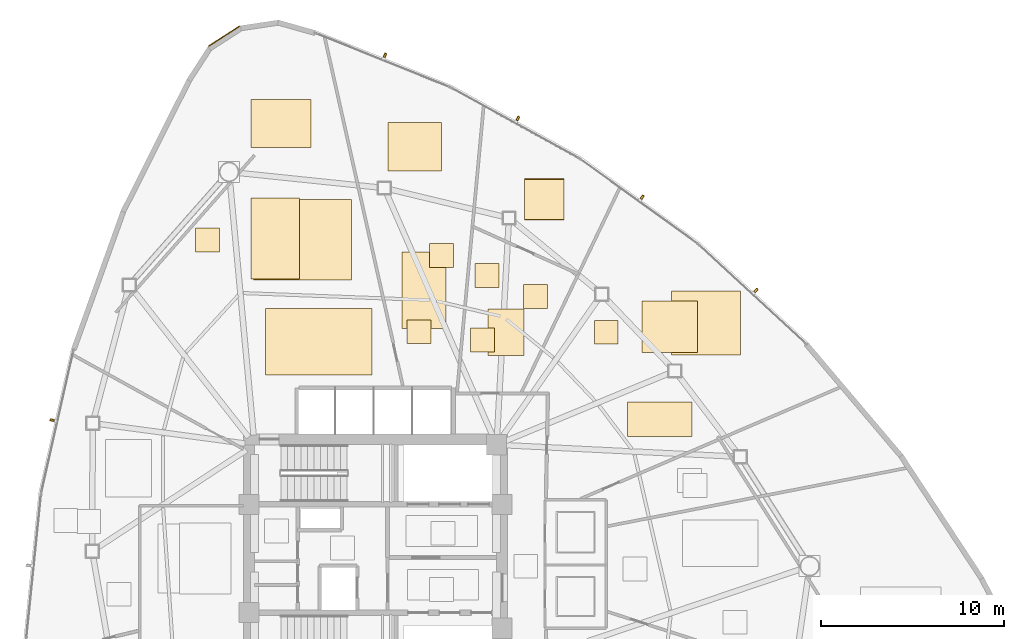
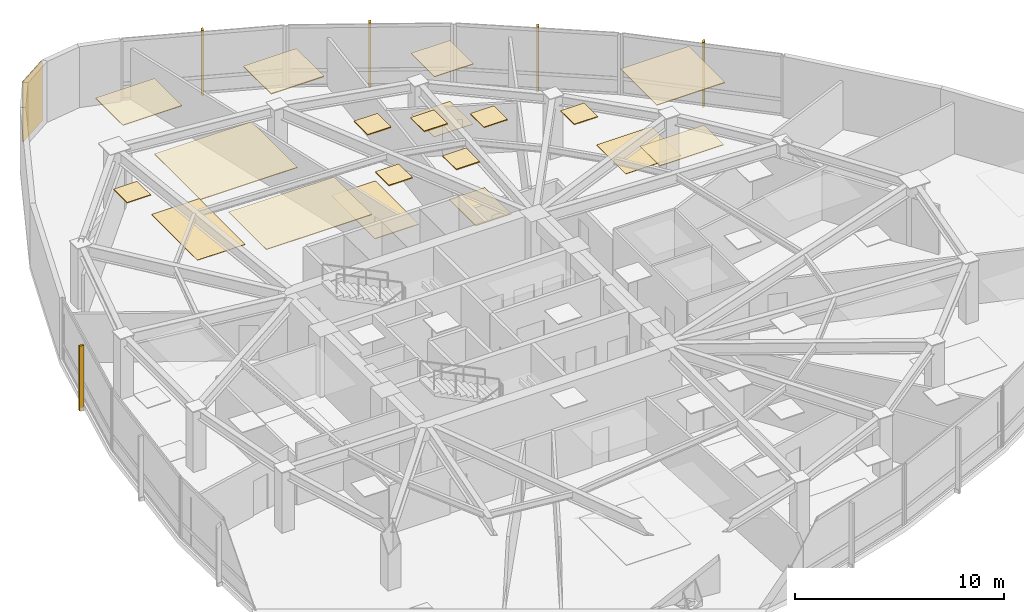
# One storey, part 17 of 17: 20 coverings, 5 shading devices.
"""IFC4 building model written with IfcOpenShell, lengths in metres."""

import ifcopenshell
import ifcopenshell.guid

model = None  # the IFC model being written
_history = None  # IfcOwnerHistory: only IFC2X3 demands one
_inside = {}  # id of a spatial element -> (the spatial element, [elements in it])
_under = {}  # id of a project, library or spatial element -> (it, [spatial elements below it])
_declared = {}  # id of a project -> (the project, [libraries it declares])
_typed = {}  # id of a type object -> (the type object, [elements of that type])
_made_of = {}  # id of a material, layer set ... -> (it, [elements and type objects made of it])


def new_model(schema):
    """Start an empty IFC model of exactly this schema.

    Asked for "IFC4X3", IfcOpenShell would pick the latest addendum, in which some entities
    have other attributes; the version numbers below select the first issue.
    IFC2X3 requires an IfcOwnerHistory on every rooted entity: one is made here for all.
    """
    global model, _history
    if schema == "IFC4X3":
        model = ifcopenshell.file(schema_version=(4, 3, 0, 0))
    else:
        model = ifcopenshell.file(schema=schema)
    _inside.clear()
    _under.clear()
    _declared.clear()
    _typed.clear()
    _made_of.clear()
    _history = None
    if model.schema == "IFC2X3":
        org = make("IfcOrganization", Name="unknown")
        user = make(
            "IfcPersonAndOrganization",
            ThePerson=make("IfcPerson", FamilyName="unknown"),
            TheOrganization=org,
        )
        app = make(
            "IfcApplication",
            ApplicationDeveloper=org,
            Version="unknown",
            ApplicationFullName="unknown",
            ApplicationIdentifier="unknown",
        )
        _history = make(
            "IfcOwnerHistory",
            OwningUser=user,
            OwningApplication=app,
            ChangeAction="ADDED",
            CreationDate=0,
        )
    return model


def make(cls, **values):
    """One entity of the class cls with the attributes given. An attribute that is None is left unset."""
    return model.create_entity(
        cls, **{name: value for name, value in values.items() if value is not None}
    )


def rooted(cls, **values):
    """An entity with a GlobalId (a new one), such as an element, a storey or a relation."""
    return make(cls, GlobalId=ifcopenshell.guid.new(), OwnerHistory=_history, **values)


def si_unit(unit_type, name, prefix=None):
    """IfcSIUnit, for example si_unit("LENGTHUNIT", "METRE", prefix="MILLI")."""
    return make("IfcSIUnit", UnitType=unit_type, Prefix=prefix, Name=name)


def assignment(units):
    """IfcUnitAssignment: the units of a project."""
    return None if units is None else make("IfcUnitAssignment", Units=units)


def point(xyz):
    """IfcCartesianPoint."""
    return None if xyz is None else make("IfcCartesianPoint", Coordinates=xyz)


def direction(xyz):
    """IfcDirection."""
    return None if xyz is None else make("IfcDirection", DirectionRatios=xyz)


def frame(location, z_axis=None, x_axis=None):
    """IfcAxis2Placement3D, a coordinate frame: its origin and axes. An axis left out is left unset."""
    return make(
        "IfcAxis2Placement3D",
        Location=point(location),
        Axis=direction(z_axis),
        RefDirection=direction(x_axis),
    )


def frame_2d(location, x_axis=None):
    """IfcAxis2Placement2D, a coordinate frame in the plane: its origin and x axis."""
    return make(
        "IfcAxis2Placement2D", Location=point(location), RefDirection=direction(x_axis)
    )


def origin():
    """The frame at (0, 0, 0) with its axes left unset."""
    return frame((0.0, 0.0, 0.0))


def origin_2d():
    """The frame at (0, 0) in the plane with its x axis left unset."""
    return frame_2d((0.0, 0.0))


def place(relative_to, where):
    """IfcLocalPlacement: puts the frame where relative to a parent placement (None: the world)."""
    return make(
        "IfcLocalPlacement", PlacementRelTo=relative_to, RelativePlacement=where
    )


def context(
    kind, dimensions, precision=None, world=None, true_north=None, identifier=None
):
    """IfcGeometricRepresentationContext, for example the 3D "Model" context."""
    return make(
        "IfcGeometricRepresentationContext",
        ContextIdentifier=identifier,
        ContextType=kind,
        CoordinateSpaceDimension=dimensions,
        Precision=precision,
        WorldCoordinateSystem=world,
        TrueNorth=true_north,
    )


def subcontext(parent, identifier, kind, view, scale=None):
    """IfcGeometricRepresentationSubContext, for example "Body" below "Model"."""
    return make(
        "IfcGeometricRepresentationSubContext",
        ContextIdentifier=identifier,
        ContextType=kind,
        ParentContext=parent,
        TargetScale=scale,
        TargetView=view,
    )


def project(units=None, contexts=None):
    """IfcProject with its units and contexts."""
    return rooted(
        "IfcProject",
        Name="project",
        RepresentationContexts=contexts,
        UnitsInContext=assignment(units),
    )


def spatial(cls, under=None, at=None, **own):
    """A site, building, storey or space (cls), placed at a placement, below another one or the project."""
    s = rooted(cls, ObjectPlacement=at, **own)
    if under is not None:
        _under.setdefault(under.id(), (under, []))[1].append(s)
    return s


def polyline(points):
    """IfcPolyline through the points."""
    return make("IfcPolyline", Points=[point(p) for p in points])


def profile(cls, at=None, kind="AREA", **sizes):
    """A parametric profile (cls). Its sizes go by their IFC names, for example OverallWidth=200.0."""
    return make(cls, ProfileType=kind, Position=at, **sizes)


def rectangle(**sizes):
    """IfcRectangleProfileDef."""
    return profile("IfcRectangleProfileDef", **sizes)


def outline(outer, holes=None, kind="AREA"):
    """IfcArbitraryClosedProfileDef: a profile drawn as a closed curve; with holes, ...WithVoids."""
    if holes is None:
        return make("IfcArbitraryClosedProfileDef", ProfileType=kind, OuterCurve=outer)
    return make(
        "IfcArbitraryProfileDefWithVoids",
        ProfileType=kind,
        OuterCurve=outer,
        InnerCurves=holes,
    )


def extrude(swept, where, along, depth):
    """IfcExtrudedAreaSolid: the profile swept, set in the frame where, extruded along a direction by depth."""
    return make(
        "IfcExtrudedAreaSolid",
        SweptArea=swept,
        Position=where,
        ExtrudedDirection=direction(along),
        Depth=depth,
    )


def shape(context_of_items, identifier, shape_type, items):
    """IfcShapeRepresentation: the items that make up one representation, for example the "Body"."""
    return make(
        "IfcShapeRepresentation",
        ContextOfItems=context_of_items,
        RepresentationIdentifier=identifier,
        RepresentationType=shape_type,
        Items=items,
    )


def source(mapping_origin, context_of_items, identifier, shape_type, items):
    """IfcRepresentationMap: a shape defined once, which mapped items show again and again."""
    return make(
        "IfcRepresentationMap",
        MappingOrigin=mapping_origin,
        MappedRepresentation=shape(context_of_items, identifier, shape_type, items),
    )


def transform(
    local_origin,
    x_axis=None,
    y_axis=None,
    z_axis=None,
    scale=None,
    scale2=None,
    scale3=None,
    uniform=True,
):
    """IfcCartesianTransformationOperator3D, or its non-uniform kind. x_axis, y_axis, z_axis: its Axis1, 2, 3."""
    if uniform:
        return make(
            "IfcCartesianTransformationOperator3D",
            Axis1=direction(x_axis),
            Axis2=direction(y_axis),
            LocalOrigin=point(local_origin),
            Scale=scale,
            Axis3=direction(z_axis),
        )
    return make(
        "IfcCartesianTransformationOperator3DnonUniform",
        Axis1=direction(x_axis),
        Axis2=direction(y_axis),
        LocalOrigin=point(local_origin),
        Scale=scale,
        Axis3=direction(z_axis),
        Scale2=scale2,
        Scale3=scale3,
    )


def mapped(mapping_source, mapping_target):
    """IfcMappedItem: shows the shape of a source again, moved by a transform."""
    return make(
        "IfcMappedItem", MappingSource=mapping_source, MappingTarget=mapping_target
    )


def material(Name=None, Category=None):
    """IfcMaterial."""
    return make("IfcMaterial", Name=Name, Category=Category)


def layer(
    of_material, thickness, ventilated=None, Name=None, Category=None, Priority=None
):
    """IfcMaterialLayer: one layer of a wall or slab, of a material (None: an air gap)."""
    return make(
        "IfcMaterialLayer",
        Material=of_material,
        LayerThickness=thickness,
        IsVentilated=ventilated,
        Name=Name,
        Category=Category,
        Priority=Priority,
    )


def layer_set(layers, Name=None):
    """IfcMaterialLayerSet."""
    return make("IfcMaterialLayerSet", MaterialLayers=layers, LayerSetName=Name)


def made_of(thing, what):
    """Note that an element or type object is made of a material, layer set ...; save() writes the relation."""
    if what is not None:
        _made_of.setdefault(what.id(), (what, []))[1].append(thing)
    return thing


def type_object(cls, material=None, **own):
    """A type object (cls), such as IfcWallType, which elements share."""
    return made_of(rooted(cls, **own), material)


def type_shapes(of_type, sources):
    """Give a type object the sources (RepresentationMaps) that its elements show as mapped items."""
    of_type.RepresentationMaps = sources


def element(
    cls,
    number,
    at=None,
    inside=None,
    cuts=None,
    type_object=None,
    material=None,
    context=None,
    identifier="Body",
    shape_type=None,
    held_by="IfcProductDefinitionShape",
    body=None,
    shapes=None,
    **own,
):
    """One element of the class cls, such as IfcWall. Its Tag is "e" and its number.

    at: its placement. inside: the storey or other place that contains it. cuts: it is an
    opening in that element (IfcRelVoidsElement). A single representation is given by context,
    identifier, shape_type and body (its items); several are given by shapes. held_by: the class
    of the entity that holds the representations. save() writes the other relations.
    """
    e = rooted(cls, Tag="e%d" % number, ObjectPlacement=at, **own)
    if body is not None:
        shapes = [shape(context, identifier, shape_type, body)]
    if shapes is not None:
        e.Representation = make(held_by, Representations=shapes)
    if inside is not None:
        _inside.setdefault(inside.id(), (inside, []))[1].append(e)
    if cuts is not None:
        rooted(
            "IfcRelVoidsElement", RelatingBuildingElement=cuts, RelatedOpeningElement=e
        )
    if type_object is not None:
        _typed.setdefault(type_object.id(), (type_object, []))[1].append(e)
    return made_of(e, material)


def aggregate(whole, parts):
    """IfcRelAggregates: a whole, such as a stair, and the parts it consists of."""
    return rooted("IfcRelAggregates", RelatingObject=whole, RelatedObjects=parts)


def save(model, path):
    """Write the relations noted so far, then the file.

    IfcRelAggregates (storeys below a building ...), IfcRelContainedInSpatialStructure (elements
    in a storey), IfcRelDefinesByType, IfcRelAssociatesMaterial and IfcRelDeclares: one each for
    every whole, place, type object, material and project.
    """
    for whole, parts in _under.values():
        aggregate(whole, parts)
    for where, things in _inside.values():
        rooted(
            "IfcRelContainedInSpatialStructure",
            RelatedElements=things,
            RelatingStructure=where,
        )
    for kind, things in _typed.values():
        rooted("IfcRelDefinesByType", RelatedObjects=things, RelatingType=kind)
    for what, things in _made_of.values():
        rooted("IfcRelAssociatesMaterial", RelatedObjects=things, RelatingMaterial=what)
    for by, libraries in _declared.values():
        rooted("IfcRelDeclares", RelatingContext=by, RelatedDefinitions=libraries)
    model.write(path)


model = new_model("IFC4")

# Units and contexts
model_context = context("Model", 3, precision=1e-05, world=origin(), true_north=direction((0.0, 1.0)))
body_context = subcontext(model_context, "Body", "Model", "MODEL_VIEW")
ifc_project = project(units=[si_unit("LENGTHUNIT", "METRE"), si_unit("AREAUNIT", "SQUARE_METRE"), si_unit("VOLUMEUNIT", "CUBIC_METRE"), si_unit("PLANEANGLEUNIT", "RADIAN"), si_unit("MASSUNIT", "GRAM", prefix="KILO")], contexts=[model_context])

# Site, building, storey
site_placement = place(None, origin())
site = spatial("IfcSite", under=ifc_project, at=site_placement, CompositionType="ELEMENT")
building_placement = place(site_placement, origin())
building = spatial("IfcBuilding", under=site, at=building_placement, Name="Tavelor Broadcast Tower", CompositionType="ELEMENT")
storey_placement = place(building_placement, frame((0.0, 0.0, 119.449951171875)))
storey = spatial("IfcBuildingStorey", under=building, at=storey_placement, Name="L27", CompositionType="ELEMENT", Elevation=119.449951171875)

# Coverings
ifc_material_1 = material(Name="Copper-Bronze Anodized Aluminium", Category="aluminium")
ifc_layer_1 = layer(ifc_material_1, 0.050048828125)
ifc_layer_set_1 = layer_set([ifc_layer_1], Name="Copper-Bronze Anodized Aluminium")
covering_type_1 = type_object("IfcCoveringType", Name="Champagne-Bronze Corner Pier Metal Cladding 50 mm", PredefinedType="CLADDING", material=ifc_layer_set_1)
covering_1_placement = place(storey_placement, frame((41.737060546875, 73.47998046875, 0.02001953125), z_axis=(0.0, 0.0, 1.0), x_axis=(-0.840093553899, -0.542441536663, 0.0)))
element("IfcCovering", 1, at=covering_1_placement, inside=storey, type_object=covering_type_1, Name="L27 Champagne-Bronze Corner Cladding 03", PredefinedType="CLADDING", context=body_context, shape_type="SweptSolid", body=[
    extrude(rectangle(XDim=2.00732421875, YDim=0.050048828125, at=origin_2d()), origin(), (0.0, 0.0, 1.0), 3.510009765625),
])
ifc_material_2 = material(Name="Acoustic Nylon Carpet Tile")
ifc_layer_2 = layer(ifc_material_2, 0.02001953125)
ifc_layer_set_2 = layer_set([ifc_layer_2], Name="Acoustic Nylon Carpet Tile")
covering_type_2 = type_object("IfcCoveringType", Name="Heavy-Duty Acoustic Broadcast Carpet Tile 20 mm", PredefinedType="FLOORING", material=ifc_layer_set_2)
covering_2_placement = place(storey_placement, origin())
element("IfcCovering", 2, at=covering_2_placement, inside=storey, type_object=covering_type_2, Name="L27 Broadcast Floor Finish 0377", PredefinedType="FLOORING", context=body_context, shape_type="SweptSolid", body=[
    extrude(outline(polyline([(43.20849609375, 60.245849609375), (45.841064453125, 60.245849609375), (45.841064453125, 64.64501953125), (43.20849609375, 64.64501953125), (43.20849609375, 60.245849609375)])), origin(), (0.0, 0.0, 1.0), 0.02001953125),
])
covering_3_placement = place(storey_placement, origin())
element("IfcCovering", 3, at=covering_3_placement, inside=storey, type_object=covering_type_2, Name="L27 Broadcast Floor Finish 0379", PredefinedType="FLOORING", context=body_context, shape_type="SweptSolid", body=[
    extrude(outline(polyline([(58.126220703125, 63.482421875), (60.27392578125, 63.482421875), (60.27392578125, 65.67138671875), (58.126220703125, 65.67138671875), (58.126220703125, 63.482421875)])), origin(), (0.0, 0.0, 1.0), 0.02001953125),
])
covering_4_placement = place(storey_placement, origin())
element("IfcCovering", 4, at=covering_4_placement, inside=storey, type_object=covering_type_2, Name="L27 Broadcast Floor Finish 0380", PredefinedType="FLOORING", context=body_context, shape_type="SweptSolid", body=[
    extrude(outline(polyline([(64.516357421875, 56.245849609375), (67.556396484375, 56.245849609375), (67.556396484375, 59.02880859375), (64.516357421875, 59.02880859375), (64.516357421875, 56.245849609375)])), origin(), (0.0, 0.0, 1.0), 0.02001953125),
])
ifc_material_3 = material(Name="Acoustic Hardwood Studio Flooring", Category="wood")
ifc_layer_3 = layer(ifc_material_3, 0.034912109375)
ifc_layer_set_3 = layer_set([ifc_layer_3], Name="Acoustic Hardwood Studio Flooring")
covering_type_3 = type_object("IfcCoveringType", Name="Isolated Studio Acoustic Elastomeric Floor Finish 35 mm", PredefinedType="FLOORING", material=ifc_layer_set_3)
covering_5_placement = place(storey_placement, origin())
element("IfcCovering", 5, at=covering_5_placement, inside=storey, type_object=covering_type_3, Name="L27 Broadcast Floor Finish 0378", PredefinedType="FLOORING", context=body_context, shape_type="SweptSolid", body=[
    extrude(outline(polyline([(51.43359375, 57.54248046875), (53.85400390625, 57.54248046875), (53.85400390625, 61.69970703125), (51.43359375, 61.69970703125), (51.43359375, 57.54248046875)])), origin(), (0.0, 0.0, 1.0), 0.03515625),
])
covering_6_placement = place(storey_placement, origin())
element("IfcCovering", 6, at=covering_6_placement, inside=storey, type_object=covering_type_3, Name="L27 Broadcast Floor Finish 0383", PredefinedType="FLOORING", context=body_context, shape_type="SweptSolid", body=[
    extrude(outline(polyline([(56.14208984375, 56.07568359375), (58.1064453125, 56.07568359375), (58.1064453125, 58.6083984375), (56.14208984375, 58.6083984375), (56.14208984375, 56.07568359375)])), origin(), (0.0, 0.0, 1.0), 0.03515625),
])
ifc_material_4 = material(Name="Acoustic Perforated Timber Baffle", Category="wood")
ifc_layer_4 = layer(ifc_material_4, 0.054931640625)
ifc_layer_set_4 = layer_set([ifc_layer_4], Name="Acoustic Perforated Timber Baffle")
covering_type_4 = type_object("IfcCoveringType", Name="Micro-Perforated Acoustic Baffle Studio Ceiling 55 mm", PredefinedType="CEILING", material=ifc_layer_set_4)
covering_7_placement = place(storey_placement, frame((0.0, 0.0, 3.4951171875)))
element("IfcCovering", 7, at=covering_7_placement, inside=storey, type_object=covering_type_4, Name="L27 Suspended Acoustic Ceiling 1077", PredefinedType="CEILING", context=body_context, shape_type="SweptSolid", body=[
    extrude(outline(polyline([(50.66650390625, 66.12939453125), (53.590576171875, 66.12939453125), (53.590576171875, 68.7880859375), (50.66650390625, 68.7880859375), (50.66650390625, 66.12939453125)])), origin(), (0.0, 0.0, 1.0), 0.054931640625),
])
covering_8_placement = place(storey_placement, frame((0.0, 0.0, 3.4951171875)))
element("IfcCovering", 8, at=covering_8_placement, inside=storey, type_object=covering_type_4, Name="L27 Suspended Acoustic Ceiling 1078", PredefinedType="CEILING", context=body_context, shape_type="SweptSolid", body=[
    extrude(outline(polyline([(52.95458984375, 60.876708984375), (54.254638671875, 60.876708984375), (54.254638671875, 62.1767578125), (52.95458984375, 62.1767578125), (52.95458984375, 60.876708984375)])), origin(), (0.0, 0.0, 1.0), 0.054931640625),
])
covering_9_placement = place(storey_placement, frame((0.0, 0.0, 3.4951171875)))
element("IfcCovering", 9, at=covering_9_placement, inside=storey, type_object=covering_type_4, Name="L27 Suspended Acoustic Ceiling 1079", PredefinedType="CEILING", context=body_context, shape_type="SweptSolid", body=[
    extrude(outline(polyline([(51.721923828125, 56.71337890625), (53.02197265625, 56.71337890625), (53.02197265625, 58.013427734375), (51.721923828125, 58.013427734375), (51.721923828125, 56.71337890625)])), origin(), (0.0, 0.0, 1.0), 0.054931640625),
])
covering_10_placement = place(storey_placement, frame((0.0, 0.0, 3.4951171875)))
element("IfcCovering", 10, at=covering_10_placement, inside=storey, type_object=covering_type_4, Name="L27 Suspended Acoustic Ceiling 1092", PredefinedType="CEILING", context=body_context, shape_type="SweptSolid", body=[
    extrude(outline(polyline([(55.174072265625, 56.261474609375), (56.47412109375, 56.261474609375), (56.47412109375, 57.5615234375), (55.174072265625, 57.5615234375), (55.174072265625, 56.261474609375)])), origin(), (0.0, 0.0, 1.0), 0.054931640625),
])
covering_11_placement = place(storey_placement, frame((0.0, 0.0, 3.4951171875)))
element("IfcCovering", 11, at=covering_11_placement, inside=storey, type_object=covering_type_4, Name="L27 Suspended Acoustic Ceiling 1093", PredefinedType="CEILING", context=body_context, shape_type="SweptSolid", body=[
    extrude(outline(polyline([(55.433349609375, 59.7724609375), (56.7333984375, 59.7724609375), (56.7333984375, 61.072509765625), (55.433349609375, 61.072509765625), (55.433349609375, 59.7724609375)])), origin(), (0.0, 0.0, 1.0), 0.054931640625),
])
covering_12_placement = place(storey_placement, frame((0.0, 0.0, 3.4951171875)))
element("IfcCovering", 12, at=covering_12_placement, inside=storey, type_object=covering_type_4, Name="L27 Suspended Acoustic Ceiling 1094", PredefinedType="CEILING", context=body_context, shape_type="SweptSolid", body=[
    extrude(outline(polyline([(58.07958984375, 58.6376953125), (59.379638671875, 58.6376953125), (59.379638671875, 59.937744140625), (58.07958984375, 59.937744140625), (58.07958984375, 58.6376953125)])), origin(), (0.0, 0.0, 1.0), 0.054931640625),
])
ifc_material_5 = material(Name="Acoustic Mineral Fibre Tile")
ifc_layer_5 = layer(ifc_material_5, 0.0400390625)
ifc_layer_set_5 = layer_set([ifc_layer_5], Name="Acoustic Mineral Fibre Tile")
covering_type_5 = type_object("IfcCoveringType", Name="Suspended Acoustic Mineral-Fibre Office Ceiling 40 mm", PredefinedType="CEILING", material=ifc_layer_set_5)
covering_13_placement = place(storey_placement, frame((0.0, 0.0, 3.510009765625)))
element("IfcCovering", 13, at=covering_13_placement, inside=storey, type_object=covering_type_5, Name="L27 Suspended Acoustic Ceiling 1073", PredefinedType="CEILING", context=body_context, shape_type="SweptSolid", body=[
    extrude(outline(polyline([(40.17724609375, 61.71240234375), (41.477294921875, 61.71240234375), (41.477294921875, 63.012451171875), (40.17724609375, 63.012451171875), (40.17724609375, 61.71240234375)])), origin(), (0.0, 0.0, 1.0), 0.0400390625),
])
covering_14_placement = place(storey_placement, frame((0.0, 0.0, 3.510009765625)))
element("IfcCovering", 14, at=covering_14_placement, inside=storey, type_object=covering_type_5, Name="L27 Suspended Acoustic Ceiling 1074", PredefinedType="CEILING", context=body_context, shape_type="SweptSolid", body=[
    extrude(outline(polyline([(43.332763671875, 60.19384765625), (48.69140625, 60.19384765625), (48.69140625, 64.583251953125), (43.332763671875, 64.583251953125), (43.332763671875, 60.19384765625)])), origin(), (0.0, 0.0, 1.0), 0.0400390625),
])
covering_15_placement = place(storey_placement, frame((0.0, 0.0, 3.510009765625)))
element("IfcCovering", 15, at=covering_15_placement, inside=storey, type_object=covering_type_5, Name="L27 Suspended Acoustic Ceiling 1075", PredefinedType="CEILING", context=body_context, shape_type="SweptSolid", body=[
    extrude(outline(polyline([(43.219970703125, 67.400390625), (46.484619140625, 67.400390625), (46.484619140625, 70.017578125), (43.219970703125, 70.017578125), (43.219970703125, 67.400390625)])), origin(), (0.0, 0.0, 1.0), 0.0400390625),
])
covering_16_placement = place(storey_placement, frame((0.0, 0.0, 3.510009765625)))
element("IfcCovering", 16, at=covering_16_placement, inside=storey, type_object=covering_type_5, Name="L27 Suspended Acoustic Ceiling 1076", PredefinedType="CEILING", context=body_context, shape_type="SweptSolid", body=[
    extrude(outline(polyline([(43.98486328125, 55.01611328125), (49.807861328125, 55.01611328125), (49.807861328125, 58.62353515625), (43.98486328125, 58.62353515625), (43.98486328125, 55.01611328125)])), origin(), (0.0, 0.0, 1.0), 0.0400390625),
])
covering_17_placement = place(storey_placement, frame((0.0, 0.0, 3.510009765625)))
element("IfcCovering", 17, at=covering_17_placement, inside=storey, type_object=covering_type_5, Name="L27 Suspended Acoustic Ceiling 1080", PredefinedType="CEILING", context=body_context, shape_type="SweptSolid", body=[
    extrude(outline(polyline([(58.130615234375, 63.45458984375), (60.280517578125, 63.45458984375), (60.280517578125, 65.7080078125), (58.130615234375, 65.7080078125), (58.130615234375, 63.45458984375)])), origin(), (0.0, 0.0, 1.0), 0.0400390625),
])
covering_18_placement = place(storey_placement, frame((0.0, 0.0, 3.510009765625)))
element("IfcCovering", 18, at=covering_18_placement, inside=storey, type_object=covering_type_5, Name="L27 Suspended Acoustic Ceiling 1081", PredefinedType="CEILING", context=body_context, shape_type="SweptSolid", body=[
    extrude(outline(polyline([(66.148193359375, 56.10498046875), (69.911376953125, 56.10498046875), (69.911376953125, 59.582275390625), (66.148193359375, 59.582275390625), (66.148193359375, 56.10498046875)])), origin(), (0.0, 0.0, 1.0), 0.0400390625),
])
covering_19_placement = place(storey_placement, frame((0.0, 0.0, 3.510009765625)))
element("IfcCovering", 19, at=covering_19_placement, inside=storey, type_object=covering_type_5, Name="L27 Suspended Acoustic Ceiling 1082", PredefinedType="CEILING", context=body_context, shape_type="SweptSolid", body=[
    extrude(outline(polyline([(63.73876953125, 51.648193359375), (67.26220703125, 51.648193359375), (67.26220703125, 53.531494140625), (63.73876953125, 53.531494140625), (63.73876953125, 51.648193359375)])), origin(), (0.0, 0.0, 1.0), 0.0400390625),
])
covering_20_placement = place(storey_placement, frame((0.0, 0.0, 3.510009765625)))
element("IfcCovering", 20, at=covering_20_placement, inside=storey, type_object=covering_type_5, Name="L27 Suspended Acoustic Ceiling 1083", PredefinedType="CEILING", context=body_context, shape_type="SweptSolid", body=[
    extrude(outline(polyline([(61.929931640625, 56.683837890625), (63.22998046875, 56.683837890625), (63.22998046875, 57.98388671875), (61.929931640625, 57.98388671875), (61.929931640625, 56.683837890625)])), origin(), (0.0, 0.0, 1.0), 0.0400390625),
])

# Shading devices
ifc_material_6 = material(Name="Kiln-Fired Glazed Terracotta", Category="masonry")
shading_device_type = type_object("IfcShadingDeviceType", Name="Extruded Terracotta Baguette Sun-Screen 110x240", PredefinedType="JALOUSIE", material=ifc_material_6)
shared_shape = source(origin(), body_context, "Body", "SweptSolid", [
    extrude(rectangle(XDim=0.110107421875, YDim=0.239990234375, at=origin_2d()), origin(), (0.0, 0.0, 1.0), 3.7900390625),
])
type_shapes(shading_device_type, [shared_shape])
for number, where, z_axis, x_axis, name in (
    (21, (32.35791015625, 52.544921875, -0.260009765625), (0.0, 0.0, 1.0), (-0.22120809279, -0.975226629909, 0.0), "L27 Terracotta Baguette Fin 253"),
    (22, (70.755126953125, 59.623779296875, -0.260009765625), (0.0, 0.0, 1.0), (-0.734085518544, 0.679057031084, 0.0), "L27 Terracotta Baguette Fin 261"),
    (23, (64.54443359375, 64.70703125, -0.260009765625), (0.0, 0.0, 1.0), (-0.810757424702, 0.585382266806, 0.0), "L27 Terracotta Baguette Fin 262"),
    (24, (57.764404296875, 69.00146484375, -0.260009765625), (0.0, 0.0, 1.0), (-0.875717453046, 0.482823924874, 0.0), "L27 Terracotta Baguette Fin 263"),
    (25, (50.5146484375, 72.44384765625, -0.260009765625), (0.0, 0.0, 1.0), (-0.927706000077, 0.373311635797, 0.0), "L27 Terracotta Baguette Fin 264"),
):
    element("IfcShadingDevice", number, at=place(storey_placement, frame(where, z_axis=z_axis, x_axis=x_axis)), inside=storey, type_object=shading_device_type, Name=name, PredefinedType="JALOUSIE", context=body_context, shape_type="MappedRepresentation", body=[
        mapped(shared_shape, transform((0.0, 0.0, 0.0), scale=1.0)),
    ])

save(model, "model.ifc")
